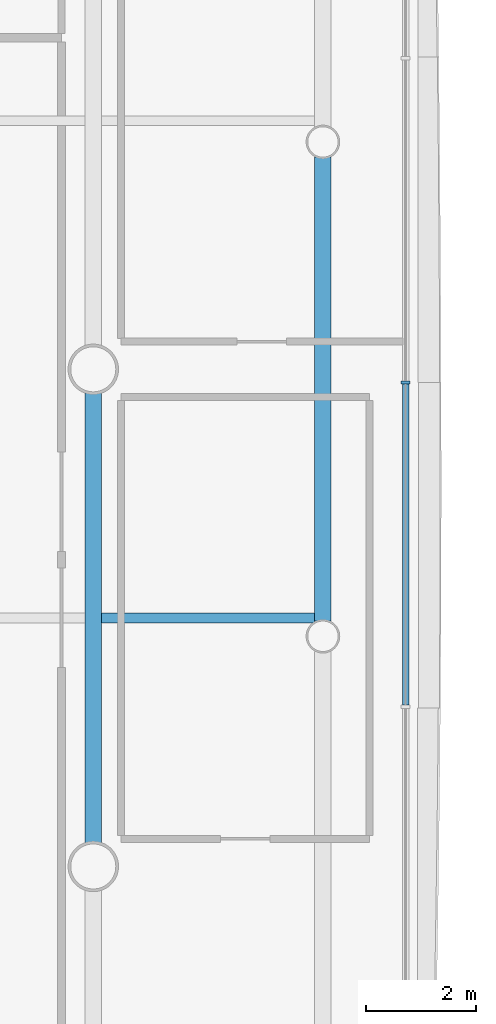
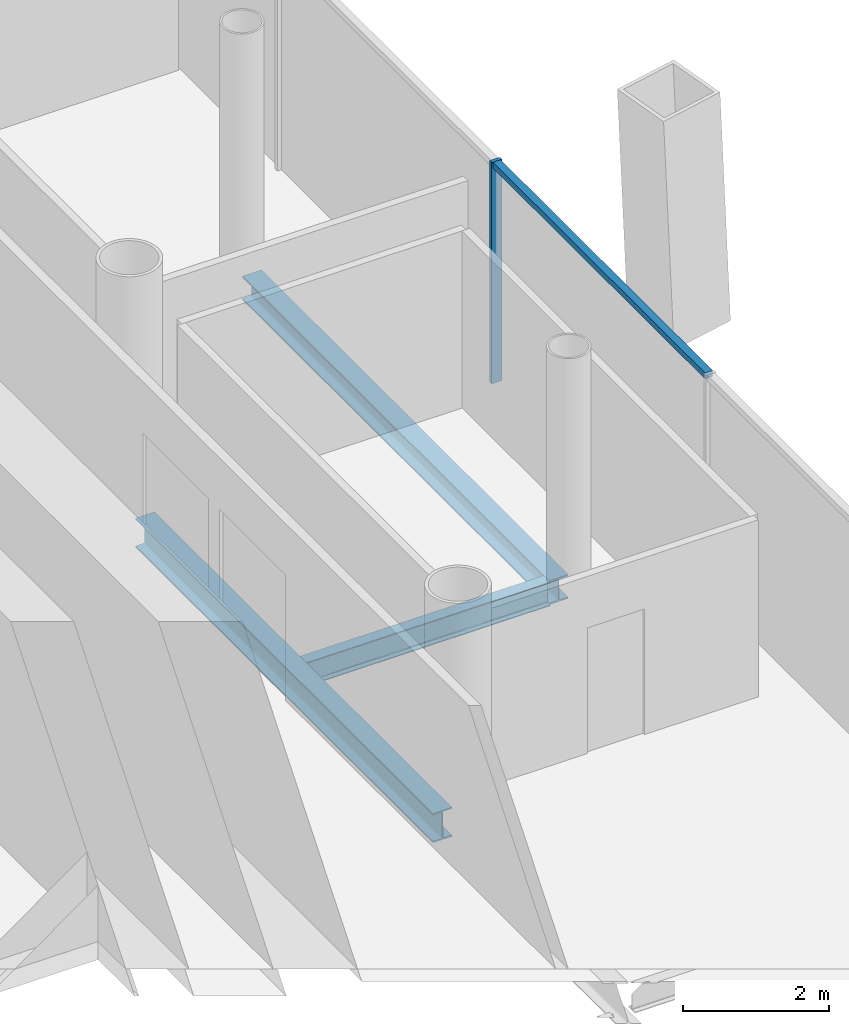
# One storey, part 6 of 21: 3 beams, 2 members, 1 element without a shape of its own.
"""IFC4 building model written with IfcOpenShell, lengths in metres."""

from ifc_helpers import new_model, si_unit, direction, frame, origin, origin_2d, place, context, subcontext, project, spatial, rectangle, i_section, extrude, material, material_profile, profile_set, type_object, element, aggregate, save


model = new_model("IFC4")

# Units and contexts
model_context = context("Model", 3, precision=1e-05, world=origin(), true_north=direction((0.0, 1.0)))
body_context = subcontext(model_context, "Body", "Model", "MODEL_VIEW")
ifc_project = project(units=[si_unit("LENGTHUNIT", "METRE"), si_unit("AREAUNIT", "SQUARE_METRE"), si_unit("VOLUMEUNIT", "CUBIC_METRE"), si_unit("PLANEANGLEUNIT", "RADIAN"), si_unit("MASSUNIT", "GRAM", prefix="KILO")], contexts=[model_context])

# Site, building, storey
site_placement = place(None, origin())
site = spatial("IfcSite", under=ifc_project, at=site_placement, CompositionType="ELEMENT")
building_placement = place(site_placement, origin())
building = spatial("IfcBuilding", under=site, at=building_placement, Name="Tskaro Facet Tower", CompositionType="ELEMENT")
storey_placement = place(building_placement, frame((0.0, 0.0, 38.10009765625)))
storey = spatial("IfcBuildingStorey", under=building, at=storey_placement, Name="L08", CompositionType="ELEMENT", Elevation=38.10009765625)

# Curtain wall, members
ifc_material_1 = material(Name="Bronze anodised aluminium 6063-T6", Category="aluminium")
curtain_wall_type = type_object("IfcCurtainWallType", Name="Bronze office curtain wall (FW1)", PredefinedType="NOTDEFINED", material=ifc_material_1)
curtain_wall_placement = place(storey_placement, origin())
curtain_wall = element("IfcCurtainWall", 1, at=curtain_wall_placement, inside=storey, type_object=curtain_wall_type, Name="FW1 east facet L08", PredefinedType="NOTDEFINED")
ifc_material_profile_1 = material_profile(ifc_material_1, rectangle(XDim=0.06005859375, YDim=0.159912109375, at=origin_2d()), Name="Mullion 60x160")
ifc_profile_set_1 = profile_set([ifc_material_profile_1], Name="Bronze anodised aluminium 6063-T6")
member_type_1 = type_object("IfcMemberType", Name="FW1 bronze mullion 60x160", PredefinedType="MULLION", material=ifc_profile_set_1)
member_1_placement = place(storey_placement, frame((23.654052734375, -0.239013671875, 0.0), z_axis=(0.0, 0.0, 1.0), x_axis=(0.0, 1.0, 0.0)))
member_1 = element("IfcMember", 2, at=member_1_placement, type_object=member_type_1, Name="FW1 east mullion 4", PredefinedType="MULLION", context=body_context, shape_type="SweptSolid", body=[
    extrude(rectangle(XDim=0.06005859375, YDim=0.159912109375, at=origin_2d()), origin(), (0.0, 0.0, 1.0), 3.699951171875),
])
ifc_material_profile_2 = material_profile(ifc_material_1, rectangle(XDim=0.1201171875, YDim=0.10009765625, at=origin_2d()), Name="Transom 120x100")
ifc_profile_set_2 = profile_set([ifc_material_profile_2], Name="Bronze anodised aluminium 6063-T6")
member_type_2 = type_object("IfcMemberType", Name="FW1 bronze transom 120x100", PredefinedType="USERDEFINED", material=ifc_profile_set_2)
member_2_placement = place(storey_placement, frame((23.654052734375, -6.077392578125, 3.64990234375), z_axis=(0.0, 1.0, 0.0), x_axis=(-1.0, 0.0, 0.0)))
member_2 = element("IfcMember", 3, at=member_2_placement, type_object=member_type_2, Name="FW1 east transom 4.1", ObjectType="TRANSOM", PredefinedType="USERDEFINED", context=body_context, shape_type="SweptSolid", body=[
    extrude(rectangle(XDim=0.1201171875, YDim=0.10009765625, at=origin_2d()), origin(), (0.0, 0.0, 1.0), 5.808349609375),
])
aggregate(curtain_wall, [member_1, member_2])

# Beams
ifc_material_2 = material(Name="Steel S355J2", Category="steel")
ifc_material_profile_3 = material_profile(ifc_material_2, i_section(OverallWidth=0.300048828125, OverallDepth=0.39990234375, WebThickness=0.013427734375, FlangeThickness=0.02392578125, FilletRadius=0.027099609375, at=origin_2d()), Name="HE 400 B")
ifc_profile_set_3 = profile_set([ifc_material_profile_3], Name="Steel S355J2")
beam_type_1 = type_object("IfcBeamType", Name="HE 400 B ring beam", PredefinedType="BEAM", material=ifc_profile_set_3)
beam_1_placement = place(storey_placement, frame((22.156982421875, -4.55810546875, -0.340087890625), z_axis=(0.0, 1.0, 0.0), x_axis=(-1.0, 0.0, 0.0)))
element("IfcBeam", 4, at=beam_1_placement, inside=storey, type_object=beam_type_1, Name="HE 400 B EB10-1", PredefinedType="BEAM", context=body_context, shape_type="SweptSolid", body=[
    extrude(i_section(OverallWidth=0.300048828125, OverallDepth=0.39990234375, WebThickness=0.013427734375, FlangeThickness=0.02392578125, FilletRadius=0.027099609375, at=origin_2d()), origin(), (0.0, 0.0, 1.0), 8.399169921875),
])
ifc_material_profile_4 = material_profile(ifc_material_2, i_section(OverallWidth=0.300048828125, OverallDepth=0.489990234375, WebThickness=0.011962890625, FlangeThickness=0.02294921875, FilletRadius=0.027099609375, at=origin_2d()), Name="HE 500 A")
ifc_profile_set_4 = profile_set([ifc_material_profile_4], Name="Steel S355J2")
beam_type_2 = type_object("IfcBeamType", Name="HE 500 A girder", PredefinedType="BEAM", material=ifc_profile_set_4)
beam_2_placement = place(storey_placement, frame((18.0, -8.57275390625, -0.385009765625), z_axis=(0.0, 1.0, 0.0), x_axis=(-1.0, 0.0, 0.0)))
element("IfcBeam", 5, at=beam_2_placement, inside=storey, type_object=beam_type_2, Name="HE 500 A GB6-3-1", PredefinedType="BEAM", context=body_context, shape_type="SweptSolid", body=[
    extrude(i_section(OverallWidth=0.300048828125, OverallDepth=0.489990234375, WebThickness=0.011962890625, FlangeThickness=0.02294921875, FilletRadius=0.027099609375, at=origin_2d()), origin(), (0.0, 0.0, 1.0), 8.1455078125),
])
ifc_material_profile_5 = material_profile(ifc_material_2, i_section(OverallWidth=0.179931640625, OverallDepth=0.39990234375, WebThickness=0.008544921875, FlangeThickness=0.013427734375, FilletRadius=0.02099609375, at=origin_2d()), Name="IPE 400")
ifc_profile_set_5 = profile_set([ifc_material_profile_5], Name="Steel S355J2")
beam_type_3 = type_object("IfcBeamType", Name="IPE 400 secondary beam", PredefinedType="BEAM", material=ifc_profile_set_5)
beam_3_placement = place(storey_placement, frame((18.14990234375, -4.5, -0.340087890625), z_axis=(1.0, 0.0, 0.0), x_axis=(0.0, 1.0, 0.0)))
element("IfcBeam", 6, at=beam_3_placement, inside=storey, type_object=beam_type_3, Name="IPE 400 SB3a-4-1", PredefinedType="BEAM", context=body_context, shape_type="SweptSolid", body=[
    extrude(i_section(OverallWidth=0.179931640625, OverallDepth=0.39990234375, WebThickness=0.008544921875, FlangeThickness=0.013427734375, FilletRadius=0.02099609375, at=origin_2d()), origin(), (0.0, 0.0, 1.0), 3.857177734375),
])

save(model, "model.ifc")
